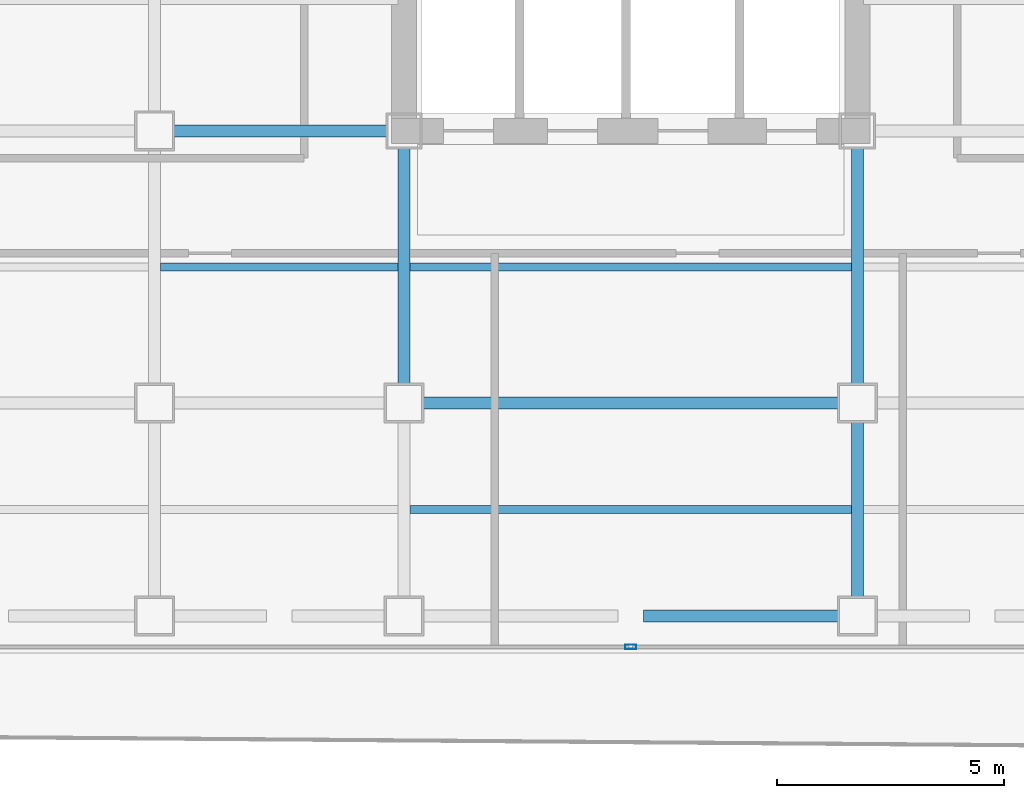
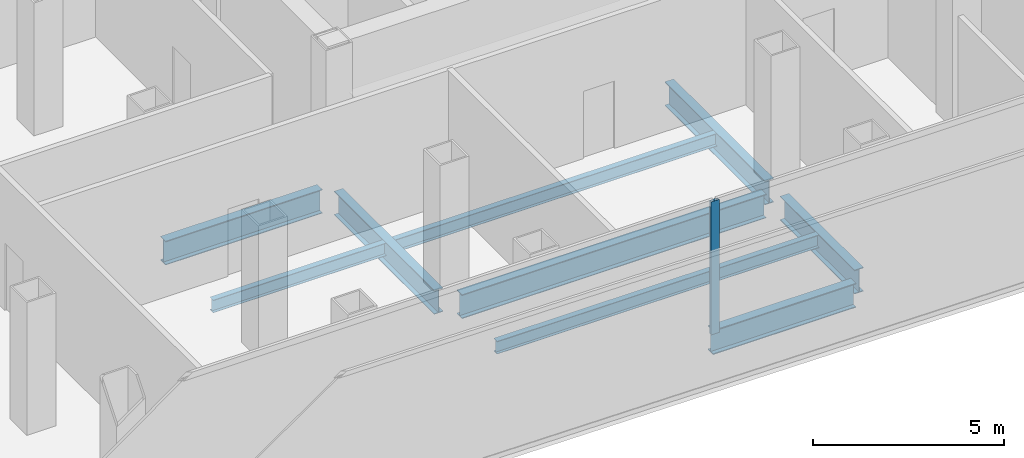
# One storey, part 4 of 21: 9 beams, 1 member, 1 element without a shape of its own.
"""IFC4 building model written with IfcOpenShell, lengths in metres."""

from ifc_helpers import new_model, si_unit, direction, frame, origin, origin_2d, place, context, subcontext, project, spatial, hollow_rectangle, i_section, extrude, source, transform, mapped, material, layer, layer_set, material_profile, profile_set, type_object, element, aggregate, save


model = new_model("IFC4")

# Units and contexts
model_context = context("Model", 3, precision=1e-05, world=origin(), true_north=direction((0.0, 1.0)))
body_context = subcontext(model_context, "Body", "Model", "MODEL_VIEW")
ifc_project = project(units=[si_unit("LENGTHUNIT", "METRE"), si_unit("AREAUNIT", "SQUARE_METRE"), si_unit("VOLUMEUNIT", "CUBIC_METRE"), si_unit("PLANEANGLEUNIT", "RADIAN"), si_unit("MASSUNIT", "GRAM", prefix="KILO")], contexts=[model_context])

# Site, building, storey
site_placement = place(None, origin())
site = spatial("IfcSite", under=ifc_project, at=site_placement, CompositionType="ELEMENT")
building_placement = place(site_placement, origin())
building = spatial("IfcBuilding", under=site, at=building_placement, Name="Kolveth Station Tower", CompositionType="ELEMENT")
storey_placement = place(building_placement, frame((0.0, 0.0, 88.199951171875)))
storey = spatial("IfcBuildingStorey", under=building, at=storey_placement, Name="L23", CompositionType="ELEMENT", Elevation=88.199951171875)

# Beams
ifc_material_1 = material(Name="Steel S355", Category="steel")
ifc_material_profile_1 = material_profile(ifc_material_1, i_section(OverallWidth=0.26904296875, OverallDepth=0.77490234375, WebThickness=0.01708984375, FlangeThickness=0.0283203125, at=origin_2d()), Name="W760x220")
ifc_profile_set_1 = profile_set([ifc_material_profile_1], Name="Steel S355")
beam_type_1 = type_object("IfcBeamType", Name="Beam_SP1", PredefinedType="SPANDREL", material=ifc_profile_set_1)
shared_shape_1 = source(origin(), body_context, "Body", "SweptSolid", [
    extrude(i_section(OverallWidth=0.26904296875, OverallDepth=0.77490234375, WebThickness=0.01708984375, FlangeThickness=0.0283203125, at=origin_2d()), origin(), (0.0, 0.0, 1.0), 4.320068359375),
])
beam_1_placement = place(storey_placement, frame((23.780029296875, 0.800048828125, -0.74755859375), z_axis=(1.0, 0.0, 0.0), x_axis=(0.0, 1.0, 0.0)))
element("IfcBeam", 1, at=beam_1_placement, inside=storey, type_object=beam_type_1, Name="L23 Perimeter Spandrel BM-L23-PS-6", PredefinedType="SPANDREL", context=body_context, shape_type="MappedRepresentation", body=[
    mapped(shared_shape_1, transform((0.0, 0.0, 0.0), x_axis=(1.0, 0.0, 0.0), y_axis=(0.0, 1.0, 0.0), z_axis=(0.0, 0.0, 1.0), scale=1.0)),
])
ifc_material_profile_2 = material_profile(ifc_material_1, i_section(OverallWidth=0.26708984375, OverallDepth=0.76611328125, WebThickness=0.014892578125, FlangeThickness=0.023681640625, at=origin_2d()), Name="W760x185")
ifc_profile_set_2 = profile_set([ifc_material_profile_2], Name="Steel S355")
beam_type_2 = type_object("IfcBeamType", Name="Beam_B3", PredefinedType="BEAM", material=ifc_profile_set_2)
shared_shape_2 = source(origin(), body_context, "Body", "SweptSolid", [
    extrude(i_section(OverallWidth=0.26708984375, OverallDepth=0.76611328125, WebThickness=0.014892578125, FlangeThickness=0.023681640625, at=origin_2d()), origin(), (0.0, 0.0, 1.0), 9.2001953125),
])
beam_2_placement = place(storey_placement, frame((18.89990234375, 5.5, -0.742919921875), z_axis=(1.0, 0.0, 0.0), x_axis=(0.0, 1.0, 0.0)))
element("IfcBeam", 2, at=beam_2_placement, inside=storey, type_object=beam_type_2, Name="L23 Primary Girder BM-L23-GY55-4", PredefinedType="BEAM", context=body_context, shape_type="MappedRepresentation", body=[
    mapped(shared_shape_2, transform((0.0, 0.0, 0.0), x_axis=(1.0, 0.0, 0.0), y_axis=(0.0, 1.0, 0.0), z_axis=(0.0, 0.0, 1.0), scale=1.0)),
])
shared_shape_3 = source(origin(), body_context, "Body", "SweptSolid", [
    extrude(i_section(OverallWidth=0.26708984375, OverallDepth=0.76611328125, WebThickness=0.014892578125, FlangeThickness=0.023681640625, at=origin_2d()), origin(), (0.0, 0.0, 1.0), 4.739990234375),
])
beam_3_placement = place(storey_placement, frame((13.39990234375, 11.5, -0.742919921875), z_axis=(1.0, 0.0, 0.0), x_axis=(0.0, 1.0, 0.0)))
element("IfcBeam", 3, at=beam_3_placement, inside=storey, type_object=beam_type_2, Name="L23 Primary Girder BM-L23-GY115-3", PredefinedType="BEAM", context=body_context, shape_type="MappedRepresentation", body=[
    mapped(shared_shape_3, transform((0.0, 0.0, 0.0), x_axis=(1.0, 0.0, 0.0), y_axis=(0.0, 1.0, 0.0), z_axis=(0.0, 0.0, 1.0), scale=1.0)),
])
shared_shape_4 = source(origin(), body_context, "Body", "SweptSolid", [
    extrude(i_section(OverallWidth=0.26708984375, OverallDepth=0.76611328125, WebThickness=0.014892578125, FlangeThickness=0.023681640625, at=origin_2d()), origin(), (0.0, 0.0, 1.0), 3.900146484375),
])
beam_4_placement = place(storey_placement, frame((28.5, 1.199951171875, -0.742919921875), z_axis=(0.0, 1.0, 0.0), x_axis=(-1.0, 0.0, 0.0)))
element("IfcBeam", 4, at=beam_4_placement, inside=storey, type_object=beam_type_2, Name="L23 Primary Girder BM-L23-GX285-1", PredefinedType="BEAM", context=body_context, shape_type="MappedRepresentation", body=[
    mapped(shared_shape_4, transform((0.0, 0.0, 0.0), x_axis=(1.0, 0.0, 0.0), y_axis=(0.0, 1.0, 0.0), z_axis=(0.0, 0.0, 1.0), scale=1.0)),
])
shared_shape_5 = source(origin(), body_context, "Body", "SweptSolid", [
    extrude(i_section(OverallWidth=0.26708984375, OverallDepth=0.76611328125, WebThickness=0.014892578125, FlangeThickness=0.023681640625, at=origin_2d()), origin(), (0.0, 0.0, 1.0), 5.239990234375),
])
for number, where, z_axis, x_axis, name in (
    (5, (18.5, 5.89990234375, -0.742919921875), (0.0, 1.0, 0.0), (-1.0, 0.0, 0.0), "L23 Primary Girder BM-L23-GX185-2"),
    (6, (28.5, 5.89990234375, -0.742919921875), (0.0, 1.0, 0.0), (-1.0, 0.0, 0.0), "L23 Primary Girder BM-L23-GX285-2"),
):
    element("IfcBeam", number, at=place(storey_placement, frame(where, z_axis=z_axis, x_axis=x_axis)), inside=storey, type_object=beam_type_2, Name=name, PredefinedType="BEAM", context=body_context, shape_type="MappedRepresentation", body=[
        mapped(shared_shape_5, transform((0.0, 0.0, 0.0), x_axis=(1.0, 0.0, 0.0), y_axis=(0.0, 1.0, 0.0), z_axis=(0.0, 0.0, 1.0), scale=1.0)),
    ])
ifc_material_profile_3 = material_profile(ifc_material_1, i_section(OverallWidth=0.177978515625, OverallDepth=0.406982421875, WebThickness=0.0078125, FlangeThickness=0.0126953125, at=origin_2d()), Name="W410x60")
ifc_profile_set_3 = profile_set([ifc_material_profile_3], Name="Steel S355")
beam_type_3 = type_object("IfcBeamType", Name="Beam_J1", PredefinedType="JOIST", material=ifc_profile_set_3)
shared_shape_6 = source(origin(), body_context, "Body", "SweptSolid", [
    extrude(i_section(OverallWidth=0.177978515625, OverallDepth=0.406982421875, WebThickness=0.0078125, FlangeThickness=0.0126953125, at=origin_2d()), origin(), (0.0, 0.0, 1.0), 5.23681640625),
])
beam_5_placement = place(storey_placement, frame((13.131591796875, 8.5, -0.5634765625), z_axis=(1.0, 0.0, 0.0), x_axis=(0.0, 1.0, 0.0)))
element("IfcBeam", 7, at=beam_5_placement, inside=storey, type_object=beam_type_3, Name="L23 Secondary Joist JST-L23-3-2", PredefinedType="JOIST", context=body_context, shape_type="MappedRepresentation", body=[
    mapped(shared_shape_6, transform((0.0, 0.0, 0.0), x_axis=(1.0, 0.0, 0.0), y_axis=(0.0, 1.0, 0.0), z_axis=(0.0, 0.0, 1.0), scale=1.0)),
])
shared_shape_7 = source(origin(), body_context, "Body", "SweptSolid", [
    extrude(i_section(OverallWidth=0.177978515625, OverallDepth=0.406982421875, WebThickness=0.0078125, FlangeThickness=0.0126953125, at=origin_2d()), origin(), (0.0, 0.0, 1.0), 9.73681640625),
])
for number, where, z_axis, x_axis, name in (
    (8, (18.631591796875, 3.14990234375, -0.5634765625), (1.0, 0.0, 0.0), (0.0, 1.0, 0.0), "L23 Secondary Joist JST-L23-4-1"),
    (9, (18.631591796875, 8.5, -0.5634765625), (1.0, 0.0, 0.0), (0.0, 1.0, 0.0), "L23 Secondary Joist JST-L23-4-2"),
):
    element("IfcBeam", number, at=place(storey_placement, frame(where, z_axis=z_axis, x_axis=x_axis)), inside=storey, type_object=beam_type_3, Name=name, PredefinedType="JOIST", context=body_context, shape_type="MappedRepresentation", body=[
        mapped(shared_shape_7, transform((0.0, 0.0, 0.0), x_axis=(1.0, 0.0, 0.0), y_axis=(0.0, 1.0, 0.0), z_axis=(0.0, 0.0, 1.0), scale=1.0)),
    ])

# Curtain wall, member
ifc_material_2 = material(Name="Aluminium 6063-T6 and acoustic laminated dark glass", Category="aluminium")
ifc_layer = layer(ifc_material_2, 0.219970703125)
ifc_layer_set = layer_set([ifc_layer], Name="Aluminium 6063-T6 and acoustic laminated dark glass")
curtain_wall_type = type_object("IfcCurtainWallType", Name="CurtainWall_CW-SL", PredefinedType="NOTDEFINED", material=ifc_layer_set)
curtain_wall_placement = place(storey_placement, origin())
curtain_wall = element("IfcCurtainWall", 10, at=curtain_wall_placement, inside=storey, type_object=curtain_wall_type, Name="L23 Inner Thermal Curtain Wall 12", PredefinedType="NOTDEFINED")
ifc_material_3 = material(Name="Black anodized aluminium 6063-T6", Category="aluminium")
ifc_material_profile_4 = material_profile(ifc_material_3, hollow_rectangle(XDim=0.094970703125, YDim=0.25, WallThickness=0.0048828125, at=origin_2d()), Name="ALU-95x250x5")
ifc_profile_set_4 = profile_set([ifc_material_profile_4], Name="Black anodized aluminium 6063-T6")
member_type = type_object("IfcMemberType", Name="Mullion_ML-SL", PredefinedType="MULLION", material=ifc_profile_set_4)
shared_shape_8 = source(origin(), body_context, "Body", "SweptSolid", [
    extrude(hollow_rectangle(XDim=0.094970703125, YDim=0.25, WallThickness=0.0048828125, at=origin_2d()), origin(), (0.0, 0.0, 1.0), 4.25),
])
member_placement = place(storey_placement, frame((23.5, 0.1201171875, 0.0), z_axis=(0.0, 0.0, 1.0), x_axis=(0.0, 1.0, 0.0)))
member = element("IfcMember", 11, at=member_placement, type_object=member_type, Name="CW-SL mullion 2", PredefinedType="MULLION", context=body_context, shape_type="MappedRepresentation", body=[
    mapped(shared_shape_8, transform((0.0, 0.0, 0.0), x_axis=(1.0, 0.0, 0.0), y_axis=(0.0, 1.0, 0.0), z_axis=(0.0, 0.0, 1.0), scale=1.0)),
])
aggregate(curtain_wall, [member])

save(model, "model.ifc")
